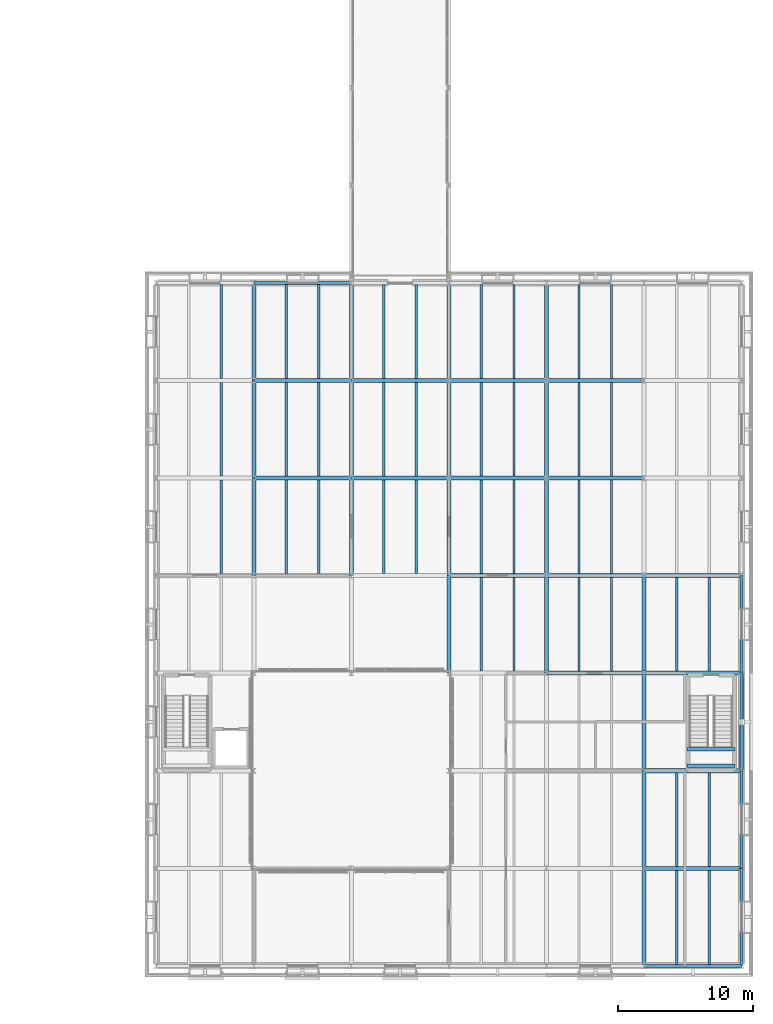
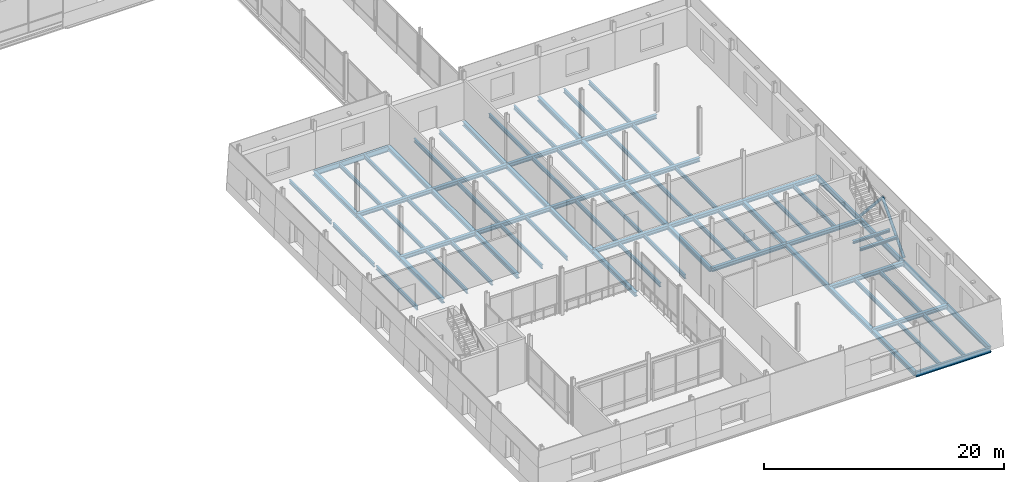
# One storey, part 41 of 121: 78 beams, 2 members.
"""IFC4 building model written with IfcOpenShell, lengths in metres."""

from ifc_helpers import new_model, si_unit, direction, frame, origin, origin_2d, place, context, subcontext, project, spatial, hollow_circle, i_section, extrude, material, material_profile, profile_set, type_object, element, save


model = new_model("IFC4")

# Units and contexts
model_context = context("Model", 3, precision=1e-05, world=origin(), true_north=direction((0.0, 1.0)))
body_context = subcontext(model_context, "Body", "Model", "MODEL_VIEW")
ifc_project = project(units=[si_unit("LENGTHUNIT", "METRE"), si_unit("AREAUNIT", "SQUARE_METRE"), si_unit("VOLUMEUNIT", "CUBIC_METRE"), si_unit("PLANEANGLEUNIT", "RADIAN"), si_unit("MASSUNIT", "GRAM", prefix="KILO")], contexts=[model_context])

# Site, building, storey
site_placement = place(None, origin())
site = spatial("IfcSite", under=ifc_project, at=site_placement, CompositionType="ELEMENT")
building_placement = place(site_placement, origin())
building = spatial("IfcBuilding", under=site, at=building_placement, Name="Narikvali Park Central Library", CompositionType="ELEMENT")
storey_placement = place(building_placement, frame((0.0, 0.0, 5.39990234375)))
storey = spatial("IfcBuildingStorey", under=building, at=storey_placement, Name="L01", CompositionType="ELEMENT", Elevation=5.39990234375)

# Beams
ifc_material = material(Name="Steel S355", Category="steel")
ifc_material_profile_1 = material_profile(ifc_material, i_section(OverallWidth=0.179931640625, OverallDepth=0.39990234375, WebThickness=0.008544921875, FlangeThickness=0.013427734375, FilletRadius=0.02099609375, at=origin_2d()), Name="IPE 400")
ifc_profile_set_1 = profile_set([ifc_material_profile_1], Name="Steel S355")
beam_type_1 = type_object("IfcBeamType", Name="Composite Floor Joist IPE400", PredefinedType="JOIST", material=ifc_profile_set_1)
for number, where, z_axis, x_axis, name in (
    (1, (127.199951171875, 28.949951171875, -0.47998046875), (0.0, 1.0, 0.0), (-1.0, 0.0, 0.0), "V6 L01 Composite Joist 2"),
    (2, (127.199951171875, 36.14990234375, -0.47998046875), (0.0, 1.0, 0.0), (-1.0, 0.0, 0.0), "V6 L01 Composite Joist 2"),
):
    element("IfcBeam", number, at=place(storey_placement, frame(where, z_axis=z_axis, x_axis=x_axis)), inside=storey, type_object=beam_type_1, Name=name, PredefinedType="JOIST", context=body_context, shape_type="SweptSolid", body=[
        extrude(i_section(OverallWidth=0.179931640625, OverallDepth=0.39990234375, WebThickness=0.008544921875, FlangeThickness=0.013427734375, FilletRadius=0.02099609375, at=origin_2d()), origin(), (0.0, 0.0, 1.0), 6.900146484375),
    ])
beam_1_placement = place(storey_placement, frame((127.199951171875, 43.35009765625, -0.47998046875), z_axis=(0.0, 1.0, 0.0), x_axis=(-1.0, 0.0, 0.0)))
element("IfcBeam", 3, at=beam_1_placement, inside=storey, type_object=beam_type_1, Name="V6 L01 Composite Joist 2", PredefinedType="JOIST", context=body_context, shape_type="SweptSolid", body=[
    extrude(i_section(OverallWidth=0.179931640625, OverallDepth=0.39990234375, WebThickness=0.008544921875, FlangeThickness=0.013427734375, FilletRadius=0.02099609375, at=origin_2d()), origin(), (0.0, 0.0, 1.0), 6.94482421875),
])
for number, where, z_axis, x_axis, name in (
    (4, (132.0, 28.949951171875, -0.47998046875), (0.0, 1.0, 0.0), (-1.0, 0.0, 0.0), "V6 L01 Composite Joist 1"),
    (5, (134.39990234375, 28.949951171875, -0.47998046875), (0.0, 1.0, 0.0), (-1.0, 0.0, 0.0), "V6 L01 Composite Joist 2"),
    (6, (132.0, 36.14990234375, -0.47998046875), (0.0, 1.0, 0.0), (-1.0, 0.0, 0.0), "V6 L01 Composite Joist 1"),
    (7, (134.39990234375, 36.14990234375, -0.47998046875), (0.0, 1.0, 0.0), (-1.0, 0.0, 0.0), "V6 L01 Composite Joist 2"),
):
    element("IfcBeam", number, at=place(storey_placement, frame(where, z_axis=z_axis, x_axis=x_axis)), inside=storey, type_object=beam_type_1, Name=name, PredefinedType="JOIST", context=body_context, shape_type="SweptSolid", body=[
        extrude(i_section(OverallWidth=0.179931640625, OverallDepth=0.39990234375, WebThickness=0.008544921875, FlangeThickness=0.013427734375, FilletRadius=0.02099609375, at=origin_2d()), origin(), (0.0, 0.0, 1.0), 6.900146484375),
    ])
for number, where, z_axis, x_axis, name in (
    (8, (132.0, 43.35009765625, -0.47998046875), (0.0, 1.0, 0.0), (-1.0, 0.0, 0.0), "V6 L01 Composite Joist 1"),
    (9, (134.39990234375, 43.35009765625, -0.47998046875), (0.0, 1.0, 0.0), (-1.0, 0.0, 0.0), "V6 L01 Composite Joist 2"),
):
    element("IfcBeam", number, at=place(storey_placement, frame(where, z_axis=z_axis, x_axis=x_axis)), inside=storey, type_object=beam_type_1, Name=name, PredefinedType="JOIST", context=body_context, shape_type="SweptSolid", body=[
        extrude(i_section(OverallWidth=0.179931640625, OverallDepth=0.39990234375, WebThickness=0.008544921875, FlangeThickness=0.013427734375, FilletRadius=0.02099609375, at=origin_2d()), origin(), (0.0, 0.0, 1.0), 6.94482421875),
    ])
for number, where, z_axis, x_axis, name in (
    (10, (139.199951171875, 28.949951171875, -0.47998046875), (0.0, 1.0, 0.0), (-1.0, 0.0, 0.0), "V6 L01 Composite Joist 1"),
    (11, (141.60009765625, 28.949951171875, -0.47998046875), (0.0, 1.0, 0.0), (-1.0, 0.0, 0.0), "V6 L01 Composite Joist 2"),
    (12, (139.199951171875, 36.14990234375, -0.47998046875), (0.0, 1.0, 0.0), (-1.0, 0.0, 0.0), "V6 L01 Composite Joist 1"),
    (13, (141.60009765625, 36.14990234375, -0.47998046875), (0.0, 1.0, 0.0), (-1.0, 0.0, 0.0), "V6 L01 Composite Joist 2"),
):
    element("IfcBeam", number, at=place(storey_placement, frame(where, z_axis=z_axis, x_axis=x_axis)), inside=storey, type_object=beam_type_1, Name=name, PredefinedType="JOIST", context=body_context, shape_type="SweptSolid", body=[
        extrude(i_section(OverallWidth=0.179931640625, OverallDepth=0.39990234375, WebThickness=0.008544921875, FlangeThickness=0.013427734375, FilletRadius=0.02099609375, at=origin_2d()), origin(), (0.0, 0.0, 1.0), 6.900146484375),
    ])
for number, where, z_axis, x_axis, name in (
    (14, (139.199951171875, 43.35009765625, -0.47998046875), (0.0, 1.0, 0.0), (-1.0, 0.0, 0.0), "V6 L01 Composite Joist 1"),
    (15, (141.60009765625, 43.35009765625, -0.47998046875), (0.0, 1.0, 0.0), (-1.0, 0.0, 0.0), "V6 L01 Composite Joist 2"),
):
    element("IfcBeam", number, at=place(storey_placement, frame(where, z_axis=z_axis, x_axis=x_axis)), inside=storey, type_object=beam_type_1, Name=name, PredefinedType="JOIST", context=body_context, shape_type="SweptSolid", body=[
        extrude(i_section(OverallWidth=0.179931640625, OverallDepth=0.39990234375, WebThickness=0.008544921875, FlangeThickness=0.013427734375, FilletRadius=0.02099609375, at=origin_2d()), origin(), (0.0, 0.0, 1.0), 6.94482421875),
    ])
for number, where, z_axis, x_axis, name in (
    (16, (146.39990234375, 21.75, -0.47998046875), (0.0, 1.0, 0.0), (-1.0, 0.0, 0.0), "V6 L01 Composite Joist 1"),
    (17, (148.800048828125, 21.75, -0.47998046875), (0.0, 1.0, 0.0), (-1.0, 0.0, 0.0), "V6 L01 Composite Joist 2"),
):
    element("IfcBeam", number, at=place(storey_placement, frame(where, z_axis=z_axis, x_axis=x_axis)), inside=storey, type_object=beam_type_1, Name=name, PredefinedType="JOIST", context=body_context, shape_type="SweptSolid", body=[
        extrude(i_section(OverallWidth=0.179931640625, OverallDepth=0.39990234375, WebThickness=0.008544921875, FlangeThickness=0.013427734375, FilletRadius=0.02099609375, at=origin_2d()), origin(), (0.0, 0.0, 1.0), 6.89990234375),
    ])
for number, where, z_axis, x_axis, name in (
    (18, (146.39990234375, 28.949951171875, -0.47998046875), (0.0, 1.0, 0.0), (-1.0, 0.0, 0.0), "V6 L01 Composite Joist 1"),
    (19, (148.800048828125, 28.949951171875, -0.47998046875), (0.0, 1.0, 0.0), (-1.0, 0.0, 0.0), "V6 L01 Composite Joist 2"),
    (20, (146.39990234375, 36.14990234375, -0.47998046875), (0.0, 1.0, 0.0), (-1.0, 0.0, 0.0), "V6 L01 Composite Joist 1"),
    (21, (148.800048828125, 36.14990234375, -0.47998046875), (0.0, 1.0, 0.0), (-1.0, 0.0, 0.0), "V6 L01 Composite Joist 2"),
):
    element("IfcBeam", number, at=place(storey_placement, frame(where, z_axis=z_axis, x_axis=x_axis)), inside=storey, type_object=beam_type_1, Name=name, PredefinedType="JOIST", context=body_context, shape_type="SweptSolid", body=[
        extrude(i_section(OverallWidth=0.179931640625, OverallDepth=0.39990234375, WebThickness=0.008544921875, FlangeThickness=0.013427734375, FilletRadius=0.02099609375, at=origin_2d()), origin(), (0.0, 0.0, 1.0), 6.900146484375),
    ])
for number, where, z_axis, x_axis, name in (
    (22, (146.39990234375, 43.35009765625, -0.47998046875), (0.0, 1.0, 0.0), (-1.0, 0.0, 0.0), "V6 L01 Composite Joist 1"),
    (23, (148.800048828125, 43.35009765625, -0.47998046875), (0.0, 1.0, 0.0), (-1.0, 0.0, 0.0), "V6 L01 Composite Joist 2"),
):
    element("IfcBeam", number, at=place(storey_placement, frame(where, z_axis=z_axis, x_axis=x_axis)), inside=storey, type_object=beam_type_1, Name=name, PredefinedType="JOIST", context=body_context, shape_type="SweptSolid", body=[
        extrude(i_section(OverallWidth=0.179931640625, OverallDepth=0.39990234375, WebThickness=0.008544921875, FlangeThickness=0.013427734375, FilletRadius=0.02099609375, at=origin_2d()), origin(), (0.0, 0.0, 1.0), 6.94482421875),
    ])
for number, where, z_axis, x_axis, name in (
    (24, (153.60009765625, 21.75, -0.47998046875), (0.0, 1.0, 0.0), (-1.0, 0.0, 0.0), "V6 L01 Composite Joist 1"),
    (25, (156.0, 21.75, -0.47998046875), (0.0, 1.0, 0.0), (-1.0, 0.0, 0.0), "V6 L01 Composite Joist 2"),
):
    element("IfcBeam", number, at=place(storey_placement, frame(where, z_axis=z_axis, x_axis=x_axis)), inside=storey, type_object=beam_type_1, Name=name, PredefinedType="JOIST", context=body_context, shape_type="SweptSolid", body=[
        extrude(i_section(OverallWidth=0.179931640625, OverallDepth=0.39990234375, WebThickness=0.008544921875, FlangeThickness=0.013427734375, FilletRadius=0.02099609375, at=origin_2d()), origin(), (0.0, 0.0, 1.0), 6.89990234375),
    ])
for number, where, z_axis, x_axis, name in (
    (26, (153.60009765625, 28.949951171875, -0.47998046875), (0.0, 1.0, 0.0), (-1.0, 0.0, 0.0), "V6 L01 Composite Joist 1"),
    (27, (156.0, 28.949951171875, -0.47998046875), (0.0, 1.0, 0.0), (-1.0, 0.0, 0.0), "V6 L01 Composite Joist 2"),
    (28, (153.60009765625, 36.14990234375, -0.47998046875), (0.0, 1.0, 0.0), (-1.0, 0.0, 0.0), "V6 L01 Composite Joist 1"),
    (29, (156.0, 36.14990234375, -0.47998046875), (0.0, 1.0, 0.0), (-1.0, 0.0, 0.0), "V6 L01 Composite Joist 2"),
):
    element("IfcBeam", number, at=place(storey_placement, frame(where, z_axis=z_axis, x_axis=x_axis)), inside=storey, type_object=beam_type_1, Name=name, PredefinedType="JOIST", context=body_context, shape_type="SweptSolid", body=[
        extrude(i_section(OverallWidth=0.179931640625, OverallDepth=0.39990234375, WebThickness=0.008544921875, FlangeThickness=0.013427734375, FilletRadius=0.02099609375, at=origin_2d()), origin(), (0.0, 0.0, 1.0), 6.900146484375),
    ])
for number, where, z_axis, x_axis, name in (
    (30, (153.60009765625, 43.35009765625, -0.47998046875), (0.0, 1.0, 0.0), (-1.0, 0.0, 0.0), "V6 L01 Composite Joist 1"),
    (31, (156.0, 43.35009765625, -0.47998046875), (0.0, 1.0, 0.0), (-1.0, 0.0, 0.0), "V6 L01 Composite Joist 2"),
):
    element("IfcBeam", number, at=place(storey_placement, frame(where, z_axis=z_axis, x_axis=x_axis)), inside=storey, type_object=beam_type_1, Name=name, PredefinedType="JOIST", context=body_context, shape_type="SweptSolid", body=[
        extrude(i_section(OverallWidth=0.179931640625, OverallDepth=0.39990234375, WebThickness=0.008544921875, FlangeThickness=0.013427734375, FilletRadius=0.02099609375, at=origin_2d()), origin(), (0.0, 0.0, 1.0), 6.94482421875),
    ])
for number, where, z_axis, x_axis, name in (
    (32, (160.800048828125, 0.10498046875, -0.47998046875), (0.0, 1.0, 0.0), (-1.0, 0.0, 0.0), "V6 L01 Composite Joist 1"),
    (33, (163.199951171875, 0.10498046875, -0.47998046875), (0.0, 1.0, 0.0), (-1.0, 0.0, 0.0), "V6 L01 Composite Joist 2"),
):
    element("IfcBeam", number, at=place(storey_placement, frame(where, z_axis=z_axis, x_axis=x_axis)), inside=storey, type_object=beam_type_1, Name=name, PredefinedType="JOIST", context=body_context, shape_type="SweptSolid", body=[
        extrude(i_section(OverallWidth=0.179931640625, OverallDepth=0.39990234375, WebThickness=0.008544921875, FlangeThickness=0.013427734375, FilletRadius=0.02099609375, at=origin_2d()), origin(), (0.0, 0.0, 1.0), 6.945068359375),
    ])
for number, where, z_axis, x_axis, name in (
    (34, (160.800048828125, 7.35009765625, -0.47998046875), (0.0, 1.0, 0.0), (-1.0, 0.0, 0.0), "V6 L01 Composite Joist 1"),
    (35, (163.199951171875, 7.35009765625, -0.47998046875), (0.0, 1.0, 0.0), (-1.0, 0.0, 0.0), "V6 L01 Composite Joist 2"),
    (36, (160.800048828125, 21.75, -0.47998046875), (0.0, 1.0, 0.0), (-1.0, 0.0, 0.0), "V6 L01 Composite Joist 1"),
    (37, (163.199951171875, 21.75, -0.47998046875), (0.0, 1.0, 0.0), (-1.0, 0.0, 0.0), "V6 L01 Composite Joist 2"),
):
    element("IfcBeam", number, at=place(storey_placement, frame(where, z_axis=z_axis, x_axis=x_axis)), inside=storey, type_object=beam_type_1, Name=name, PredefinedType="JOIST", context=body_context, shape_type="SweptSolid", body=[
        extrude(i_section(OverallWidth=0.179931640625, OverallDepth=0.39990234375, WebThickness=0.008544921875, FlangeThickness=0.013427734375, FilletRadius=0.02099609375, at=origin_2d()), origin(), (0.0, 0.0, 1.0), 6.89990234375),
    ])
ifc_material_profile_2 = material_profile(ifc_material, i_section(OverallWidth=0.260009765625, OverallDepth=0.260009765625, WebThickness=0.010009765625, FlangeThickness=0.017578125, FilletRadius=0.02392578125, at=origin_2d()), Name="HEB 260")
ifc_profile_set_2 = profile_set([ifc_material_profile_2], Name="Steel S355")
beam_type_2 = type_object("IfcBeamType", Name="Core Trimmer Girder HEB260", PredefinedType="BEAM", material=ifc_profile_set_2)
for number, where, z_axis, x_axis, name in (
    (38, (161.570068359375, 14.77001953125, 2.070068359375), (1.0, 0.0, 0.0), (0.0, 1.0, 0.0), "ST-12 L01 Landing Trimmer Beam 1-1"),
    (39, (161.570068359375, 15.97509765625, 2.070068359375), (1.0, 0.0, 0.0), (0.0, 1.0, 0.0), "ST-12 L01 Landing Trimmer Beam 1-2"),
):
    element("IfcBeam", number, at=place(storey_placement, frame(where, z_axis=z_axis, x_axis=x_axis)), inside=storey, type_object=beam_type_2, Name=name, PredefinedType="BEAM", context=body_context, shape_type="SweptSolid", body=[
        extrude(i_section(OverallWidth=0.260009765625, OverallDepth=0.260009765625, WebThickness=0.010009765625, FlangeThickness=0.017578125, FilletRadius=0.02392578125, at=origin_2d()), origin(), (0.0, 0.0, 1.0), 3.559814453125),
    ])
ifc_material_profile_3 = material_profile(ifc_material, i_section(OverallWidth=0.2099609375, OverallDepth=0.550048828125, WebThickness=0.010986328125, FlangeThickness=0.01708984375, FilletRadius=0.02392578125, at=origin_2d()), Name="IPE 550")
ifc_profile_set_3 = profile_set([ifc_material_profile_3], Name="Steel S355")
beam_type_3 = type_object("IfcBeamType", Name="Perimeter Spandrel IPE550", PredefinedType="SPANDREL", material=ifc_profile_set_3)
for number, where, z_axis, x_axis, name in (
    (40, (158.407958984375, 0.0, -0.554931640625), (1.0, 0.0, 0.0), (0.0, 1.0, 0.0), "V6 L01 Girder X"),
    (41, (129.60791015625, 50.39990234375, -0.554931640625), (1.0, 0.0, 0.0), (0.0, 1.0, 0.0), "V6 L01 Girder X"),
):
    element("IfcBeam", number, at=place(storey_placement, frame(where, z_axis=z_axis, x_axis=x_axis)), inside=storey, type_object=beam_type_3, Name=name, PredefinedType="SPANDREL", context=body_context, shape_type="SweptSolid", body=[
        extrude(i_section(OverallWidth=0.2099609375, OverallDepth=0.550048828125, WebThickness=0.010986328125, FlangeThickness=0.01708984375, FilletRadius=0.02392578125, at=origin_2d()), origin(), (0.0, 0.0, 1.0), 7.18408203125),
    ])
beam_2_placement = place(storey_placement, frame((165.60009765625, 0.008056640625, -0.554931640625), z_axis=(0.0, 1.0, 0.0), x_axis=(-1.0, 0.0, 0.0)))
element("IfcBeam", 42, at=beam_2_placement, inside=storey, type_object=beam_type_3, Name="V6 L01 Girder Y", PredefinedType="SPANDREL", context=body_context, shape_type="SweptSolid", body=[
    extrude(i_section(OverallWidth=0.2099609375, OverallDepth=0.550048828125, WebThickness=0.010986328125, FlangeThickness=0.01708984375, FilletRadius=0.02392578125, at=origin_2d()), origin(), (0.0, 0.0, 1.0), 7.183837890625),
])
for number, where, z_axis, x_axis, name in (
    (43, (165.60009765625, 7.2080078125, -0.554931640625), (0.0, 1.0, 0.0), (-1.0, 0.0, 0.0), "V6 L01 Girder Y"),
    (44, (165.60009765625, 14.407958984375, -0.554931640625), (0.0, 1.0, 0.0), (-1.0, 0.0, 0.0), "V6 L01 Girder Y"),
    (45, (165.60009765625, 21.60791015625, -0.554931640625), (0.0, 1.0, 0.0), (-1.0, 0.0, 0.0), "V6 L01 Girder Y"),
):
    element("IfcBeam", number, at=place(storey_placement, frame(where, z_axis=z_axis, x_axis=x_axis)), inside=storey, type_object=beam_type_3, Name=name, PredefinedType="SPANDREL", context=body_context, shape_type="SweptSolid", body=[
        extrude(i_section(OverallWidth=0.2099609375, OverallDepth=0.550048828125, WebThickness=0.010986328125, FlangeThickness=0.01708984375, FilletRadius=0.02392578125, at=origin_2d()), origin(), (0.0, 0.0, 1.0), 7.18408203125),
    ])
ifc_material_profile_4 = material_profile(ifc_material, i_section(OverallWidth=0.300048828125, OverallDepth=0.389892578125, WebThickness=0.010986328125, FlangeThickness=0.01904296875, FilletRadius=0.027099609375, at=origin_2d()), Name="HEA 400")
ifc_profile_set_4 = profile_set([ifc_material_profile_4], Name="Steel S355")
beam_type_4 = type_object("IfcBeamType", Name="Primary Girder HEA400", PredefinedType="BEAM", material=ifc_profile_set_4)
for number, where, z_axis, x_axis, name in (
    (46, (158.407958984375, 7.199951171875, -0.474853515625), (1.0, 0.0, 0.0), (0.0, 1.0, 0.0), "V6 L01 Girder X"),
    (47, (158.407958984375, 14.39990234375, -0.474853515625), (1.0, 0.0, 0.0), (0.0, 1.0, 0.0), "V6 L01 Girder X"),
    (48, (151.2080078125, 21.60009765625, -0.474853515625), (1.0, 0.0, 0.0), (0.0, 1.0, 0.0), "V6 L01 Girder X"),
    (49, (158.407958984375, 21.60009765625, -0.474853515625), (1.0, 0.0, 0.0), (0.0, 1.0, 0.0), "V6 L01 Girder X"),
):
    element("IfcBeam", number, at=place(storey_placement, frame(where, z_axis=z_axis, x_axis=x_axis)), inside=storey, type_object=beam_type_4, Name=name, PredefinedType="BEAM", context=body_context, shape_type="SweptSolid", body=[
        extrude(i_section(OverallWidth=0.300048828125, OverallDepth=0.389892578125, WebThickness=0.010986328125, FlangeThickness=0.01904296875, FilletRadius=0.027099609375, at=origin_2d()), origin(), (0.0, 0.0, 1.0), 7.18408203125),
    ])
beam_3_placement = place(storey_placement, frame((144.008056640625, 28.800048828125, -0.474853515625), z_axis=(1.0, 0.0, 0.0), x_axis=(0.0, 1.0, 0.0)))
element("IfcBeam", 50, at=beam_3_placement, inside=storey, type_object=beam_type_4, Name="V6 L01 Girder X", PredefinedType="BEAM", context=body_context, shape_type="SweptSolid", body=[
    extrude(i_section(OverallWidth=0.300048828125, OverallDepth=0.389892578125, WebThickness=0.010986328125, FlangeThickness=0.01904296875, FilletRadius=0.027099609375, at=origin_2d()), origin(), (0.0, 0.0, 1.0), 7.183837890625),
])
for number, where, z_axis, x_axis, name in (
    (51, (151.2080078125, 28.800048828125, -0.474853515625), (1.0, 0.0, 0.0), (0.0, 1.0, 0.0), "V6 L01 Girder X"),
    (52, (158.407958984375, 28.800048828125, -0.474853515625), (1.0, 0.0, 0.0), (0.0, 1.0, 0.0), "V6 L01 Girder X"),
    (53, (129.60791015625, 36.0, -0.474853515625), (1.0, 0.0, 0.0), (0.0, 1.0, 0.0), "V6 L01 Girder X"),
):
    element("IfcBeam", number, at=place(storey_placement, frame(where, z_axis=z_axis, x_axis=x_axis)), inside=storey, type_object=beam_type_4, Name=name, PredefinedType="BEAM", context=body_context, shape_type="SweptSolid", body=[
        extrude(i_section(OverallWidth=0.300048828125, OverallDepth=0.389892578125, WebThickness=0.010986328125, FlangeThickness=0.01904296875, FilletRadius=0.027099609375, at=origin_2d()), origin(), (0.0, 0.0, 1.0), 7.18408203125),
    ])
for number, where, z_axis, x_axis, name in (
    (54, (136.80810546875, 36.0, -0.474853515625), (1.0, 0.0, 0.0), (0.0, 1.0, 0.0), "V6 L01 Girder X"),
    (55, (144.008056640625, 36.0, -0.474853515625), (1.0, 0.0, 0.0), (0.0, 1.0, 0.0), "V6 L01 Girder X"),
):
    element("IfcBeam", number, at=place(storey_placement, frame(where, z_axis=z_axis, x_axis=x_axis)), inside=storey, type_object=beam_type_4, Name=name, PredefinedType="BEAM", context=body_context, shape_type="SweptSolid", body=[
        extrude(i_section(OverallWidth=0.300048828125, OverallDepth=0.389892578125, WebThickness=0.010986328125, FlangeThickness=0.01904296875, FilletRadius=0.027099609375, at=origin_2d()), origin(), (0.0, 0.0, 1.0), 7.183837890625),
    ])
for number, where, z_axis, x_axis, name in (
    (56, (151.2080078125, 36.0, -0.474853515625), (1.0, 0.0, 0.0), (0.0, 1.0, 0.0), "V6 L01 Girder X"),
    (57, (129.60791015625, 43.199951171875, -0.474853515625), (1.0, 0.0, 0.0), (0.0, 1.0, 0.0), "V6 L01 Girder X"),
):
    element("IfcBeam", number, at=place(storey_placement, frame(where, z_axis=z_axis, x_axis=x_axis)), inside=storey, type_object=beam_type_4, Name=name, PredefinedType="BEAM", context=body_context, shape_type="SweptSolid", body=[
        extrude(i_section(OverallWidth=0.300048828125, OverallDepth=0.389892578125, WebThickness=0.010986328125, FlangeThickness=0.01904296875, FilletRadius=0.027099609375, at=origin_2d()), origin(), (0.0, 0.0, 1.0), 7.18408203125),
    ])
for number, where, z_axis, x_axis, name in (
    (58, (136.80810546875, 43.199951171875, -0.474853515625), (1.0, 0.0, 0.0), (0.0, 1.0, 0.0), "V6 L01 Girder X"),
    (59, (144.008056640625, 43.199951171875, -0.474853515625), (1.0, 0.0, 0.0), (0.0, 1.0, 0.0), "V6 L01 Girder X"),
):
    element("IfcBeam", number, at=place(storey_placement, frame(where, z_axis=z_axis, x_axis=x_axis)), inside=storey, type_object=beam_type_4, Name=name, PredefinedType="BEAM", context=body_context, shape_type="SweptSolid", body=[
        extrude(i_section(OverallWidth=0.300048828125, OverallDepth=0.389892578125, WebThickness=0.010986328125, FlangeThickness=0.01904296875, FilletRadius=0.027099609375, at=origin_2d()), origin(), (0.0, 0.0, 1.0), 7.183837890625),
    ])
beam_4_placement = place(storey_placement, frame((151.2080078125, 43.199951171875, -0.474853515625), z_axis=(1.0, 0.0, 0.0), x_axis=(0.0, 1.0, 0.0)))
element("IfcBeam", 60, at=beam_4_placement, inside=storey, type_object=beam_type_4, Name="V6 L01 Girder X", PredefinedType="BEAM", context=body_context, shape_type="SweptSolid", body=[
    extrude(i_section(OverallWidth=0.300048828125, OverallDepth=0.389892578125, WebThickness=0.010986328125, FlangeThickness=0.01904296875, FilletRadius=0.027099609375, at=origin_2d()), origin(), (0.0, 0.0, 1.0), 7.18408203125),
])
ifc_material_profile_5 = material_profile(ifc_material, i_section(OverallWidth=0.300048828125, OverallDepth=0.43994140625, WebThickness=0.011474609375, FlangeThickness=0.02099609375, FilletRadius=0.027099609375, at=origin_2d()), Name="HEA 450")
ifc_profile_set_5 = profile_set([ifc_material_profile_5], Name="Steel S355")
beam_type_5 = type_object("IfcBeamType", Name="Primary Girder HEA450", PredefinedType="BEAM", material=ifc_profile_set_5)
for number, where, z_axis, x_axis, name in (
    (61, (129.60009765625, 28.80810546875, -0.5), (0.0, 1.0, 0.0), (-1.0, 0.0, 0.0), "V6 L01 Girder Y"),
    (62, (129.60009765625, 36.008056640625, -0.5), (0.0, 1.0, 0.0), (-1.0, 0.0, 0.0), "V6 L01 Girder Y"),
):
    element("IfcBeam", number, at=place(storey_placement, frame(where, z_axis=z_axis, x_axis=x_axis)), inside=storey, type_object=beam_type_5, Name=name, PredefinedType="BEAM", context=body_context, shape_type="SweptSolid", body=[
        extrude(i_section(OverallWidth=0.300048828125, OverallDepth=0.43994140625, WebThickness=0.011474609375, FlangeThickness=0.02099609375, FilletRadius=0.027099609375, at=origin_2d()), origin(), (0.0, 0.0, 1.0), 7.183837890625),
    ])
beam_5_placement = place(storey_placement, frame((129.60009765625, 43.2080078125, -0.5), z_axis=(0.0, 1.0, 0.0), x_axis=(-1.0, 0.0, 0.0)))
element("IfcBeam", 63, at=beam_5_placement, inside=storey, type_object=beam_type_5, Name="V6 L01 Girder Y", PredefinedType="BEAM", context=body_context, shape_type="SweptSolid", body=[
    extrude(i_section(OverallWidth=0.300048828125, OverallDepth=0.43994140625, WebThickness=0.011474609375, FlangeThickness=0.02099609375, FilletRadius=0.027099609375, at=origin_2d()), origin(), (0.0, 0.0, 1.0), 7.18408203125),
])
for number, where, z_axis, x_axis, name in (
    (64, (136.800048828125, 28.80810546875, -0.5), (0.0, 1.0, 0.0), (-1.0, 0.0, 0.0), "V6 L01 Girder Y"),
    (65, (136.800048828125, 36.008056640625, -0.5), (0.0, 1.0, 0.0), (-1.0, 0.0, 0.0), "V6 L01 Girder Y"),
):
    element("IfcBeam", number, at=place(storey_placement, frame(where, z_axis=z_axis, x_axis=x_axis)), inside=storey, type_object=beam_type_5, Name=name, PredefinedType="BEAM", context=body_context, shape_type="SweptSolid", body=[
        extrude(i_section(OverallWidth=0.300048828125, OverallDepth=0.43994140625, WebThickness=0.011474609375, FlangeThickness=0.02099609375, FilletRadius=0.027099609375, at=origin_2d()), origin(), (0.0, 0.0, 1.0), 7.183837890625),
    ])
for number, where, z_axis, x_axis, name in (
    (66, (136.800048828125, 43.2080078125, -0.5), (0.0, 1.0, 0.0), (-1.0, 0.0, 0.0), "V6 L01 Girder Y"),
    (67, (144.0, 21.60791015625, -0.5), (0.0, 1.0, 0.0), (-1.0, 0.0, 0.0), "V6 L01 Girder Y"),
):
    element("IfcBeam", number, at=place(storey_placement, frame(where, z_axis=z_axis, x_axis=x_axis)), inside=storey, type_object=beam_type_5, Name=name, PredefinedType="BEAM", context=body_context, shape_type="SweptSolid", body=[
        extrude(i_section(OverallWidth=0.300048828125, OverallDepth=0.43994140625, WebThickness=0.011474609375, FlangeThickness=0.02099609375, FilletRadius=0.027099609375, at=origin_2d()), origin(), (0.0, 0.0, 1.0), 7.18408203125),
    ])
for number, where, z_axis, x_axis, name in (
    (68, (144.0, 28.80810546875, -0.5), (0.0, 1.0, 0.0), (-1.0, 0.0, 0.0), "V6 L01 Girder Y"),
    (69, (144.0, 36.008056640625, -0.5), (0.0, 1.0, 0.0), (-1.0, 0.0, 0.0), "V6 L01 Girder Y"),
):
    element("IfcBeam", number, at=place(storey_placement, frame(where, z_axis=z_axis, x_axis=x_axis)), inside=storey, type_object=beam_type_5, Name=name, PredefinedType="BEAM", context=body_context, shape_type="SweptSolid", body=[
        extrude(i_section(OverallWidth=0.300048828125, OverallDepth=0.43994140625, WebThickness=0.011474609375, FlangeThickness=0.02099609375, FilletRadius=0.027099609375, at=origin_2d()), origin(), (0.0, 0.0, 1.0), 7.183837890625),
    ])
for number, where, z_axis, x_axis, name in (
    (70, (144.0, 43.2080078125, -0.5), (0.0, 1.0, 0.0), (-1.0, 0.0, 0.0), "V6 L01 Girder Y"),
    (71, (151.199951171875, 21.60791015625, -0.5), (0.0, 1.0, 0.0), (-1.0, 0.0, 0.0), "V6 L01 Girder Y"),
):
    element("IfcBeam", number, at=place(storey_placement, frame(where, z_axis=z_axis, x_axis=x_axis)), inside=storey, type_object=beam_type_5, Name=name, PredefinedType="BEAM", context=body_context, shape_type="SweptSolid", body=[
        extrude(i_section(OverallWidth=0.300048828125, OverallDepth=0.43994140625, WebThickness=0.011474609375, FlangeThickness=0.02099609375, FilletRadius=0.027099609375, at=origin_2d()), origin(), (0.0, 0.0, 1.0), 7.18408203125),
    ])
for number, where, z_axis, x_axis, name in (
    (72, (151.199951171875, 28.80810546875, -0.5), (0.0, 1.0, 0.0), (-1.0, 0.0, 0.0), "V6 L01 Girder Y"),
    (73, (151.199951171875, 36.008056640625, -0.5), (0.0, 1.0, 0.0), (-1.0, 0.0, 0.0), "V6 L01 Girder Y"),
):
    element("IfcBeam", number, at=place(storey_placement, frame(where, z_axis=z_axis, x_axis=x_axis)), inside=storey, type_object=beam_type_5, Name=name, PredefinedType="BEAM", context=body_context, shape_type="SweptSolid", body=[
        extrude(i_section(OverallWidth=0.300048828125, OverallDepth=0.43994140625, WebThickness=0.011474609375, FlangeThickness=0.02099609375, FilletRadius=0.027099609375, at=origin_2d()), origin(), (0.0, 0.0, 1.0), 7.183837890625),
    ])
beam_6_placement = place(storey_placement, frame((151.199951171875, 43.2080078125, -0.5), z_axis=(0.0, 1.0, 0.0), x_axis=(-1.0, 0.0, 0.0)))
element("IfcBeam", 74, at=beam_6_placement, inside=storey, type_object=beam_type_5, Name="V6 L01 Girder Y", PredefinedType="BEAM", context=body_context, shape_type="SweptSolid", body=[
    extrude(i_section(OverallWidth=0.300048828125, OverallDepth=0.43994140625, WebThickness=0.011474609375, FlangeThickness=0.02099609375, FilletRadius=0.027099609375, at=origin_2d()), origin(), (0.0, 0.0, 1.0), 7.18408203125),
])
beam_7_placement = place(storey_placement, frame((158.39990234375, 0.008056640625, -0.5), z_axis=(0.0, 1.0, 0.0), x_axis=(-1.0, 0.0, 0.0)))
element("IfcBeam", 75, at=beam_7_placement, inside=storey, type_object=beam_type_5, Name="V6 L01 Girder Y", PredefinedType="BEAM", context=body_context, shape_type="SweptSolid", body=[
    extrude(i_section(OverallWidth=0.300048828125, OverallDepth=0.43994140625, WebThickness=0.011474609375, FlangeThickness=0.02099609375, FilletRadius=0.027099609375, at=origin_2d()), origin(), (0.0, 0.0, 1.0), 7.183837890625),
])
for number, where, z_axis, x_axis, name in (
    (76, (158.39990234375, 7.2080078125, -0.5), (0.0, 1.0, 0.0), (-1.0, 0.0, 0.0), "V6 L01 Girder Y"),
    (77, (158.39990234375, 14.407958984375, -0.5), (0.0, 1.0, 0.0), (-1.0, 0.0, 0.0), "V6 L01 Girder Y"),
    (78, (158.39990234375, 21.60791015625, -0.5), (0.0, 1.0, 0.0), (-1.0, 0.0, 0.0), "V6 L01 Girder Y"),
):
    element("IfcBeam", number, at=place(storey_placement, frame(where, z_axis=z_axis, x_axis=x_axis)), inside=storey, type_object=beam_type_5, Name=name, PredefinedType="BEAM", context=body_context, shape_type="SweptSolid", body=[
        extrude(i_section(OverallWidth=0.300048828125, OverallDepth=0.43994140625, WebThickness=0.011474609375, FlangeThickness=0.02099609375, FilletRadius=0.027099609375, at=origin_2d()), origin(), (0.0, 0.0, 1.0), 7.18408203125),
    ])

# Members
ifc_material_profile_6 = material_profile(ifc_material, hollow_circle(Radius=0.136474609375, WallThickness=0.012451171875, at=origin_2d()), Name="CHS 273x12.5")
ifc_profile_set_6 = profile_set([ifc_material_profile_6], Name="Steel S355")
member_type = type_object("IfcMemberType", Name="Seismic Chevron Brace CHS273", PredefinedType="BRACE", material=ifc_profile_set_6)
for number, where, z_axis, x_axis, name in (
    (79, (165.60009765625, 14.4150390625, 0.01513671875), (0.0, 0.668818765569, 0.743425489759), (-1.0, 0.0, 0.0), "V6 L01 Seismic Chevron Brace A"),
    (80, (165.60009765625, 21.5849609375, 0.01513671875), (0.0, -0.668818765569, 0.743425489759), (1.0, 0.0, 0.0), "V6 L01 Seismic Chevron Brace B"),
):
    element("IfcMember", number, at=place(storey_placement, frame(where, z_axis=z_axis, x_axis=x_axis)), inside=storey, type_object=member_type, Name=name, PredefinedType="BRACE", context=body_context, shape_type="SweptSolid", body=[
        extrude(hollow_circle(Radius=0.136474609375, WallThickness=0.012451171875, at=origin_2d()), origin(), (0.0, 0.0, 1.0), 5.360107421875),
    ])

save(model, "model.ifc")
